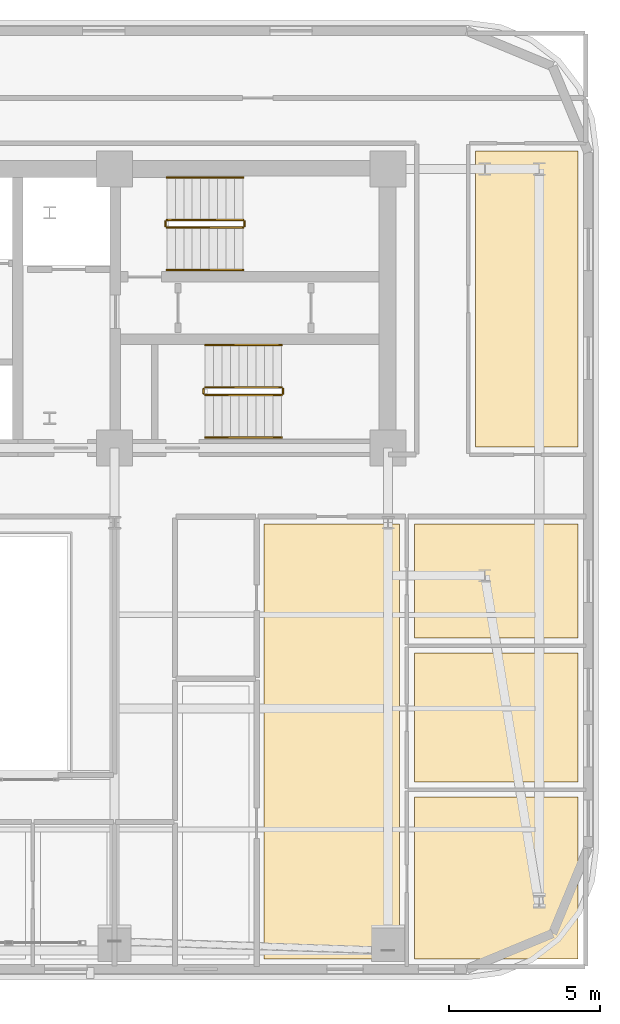
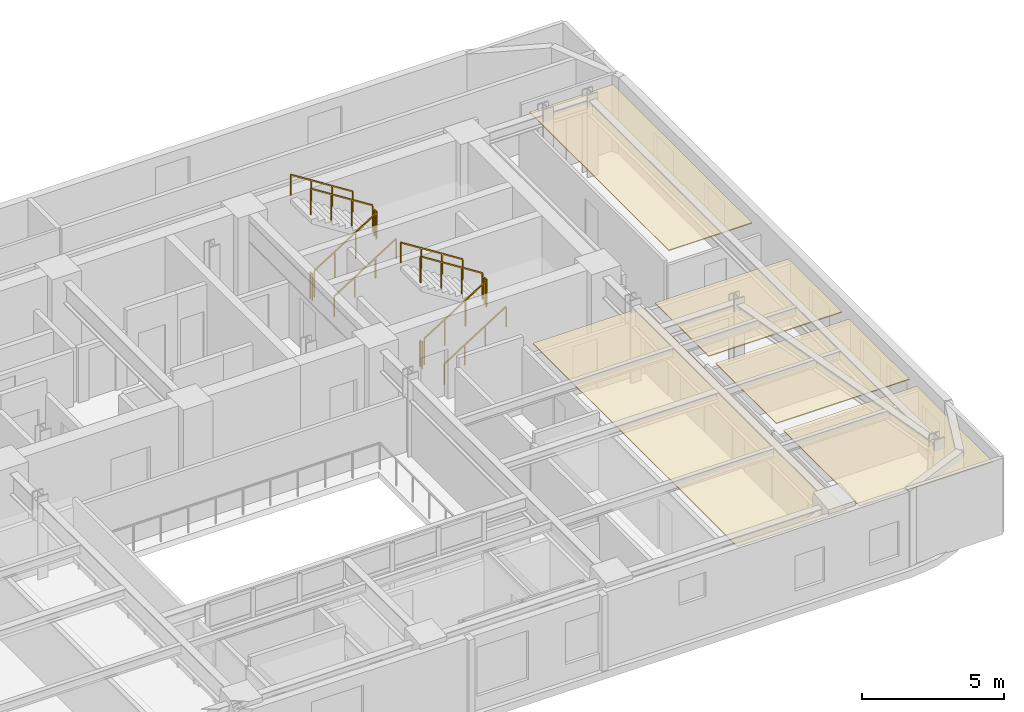
# One storey, part 13 of 13: 12 railings, 5 coverings.
"""IFC4 building model written with IfcOpenShell, lengths in metres."""

from ifc_helpers import new_model, si_unit, direction, frame, origin, origin_2d, place, context, subcontext, project, spatial, polyline, rectangle, outline, extrude, material, layer, layer_set, type_object, element, save


model = new_model("IFC4")

# Units and contexts
model_context = context("Model", 3, precision=1e-05, world=origin(), true_north=direction((0.0, 1.0)))
body_context = subcontext(model_context, "Body", "Model", "MODEL_VIEW")
ifc_project = project(units=[si_unit("LENGTHUNIT", "METRE"), si_unit("AREAUNIT", "SQUARE_METRE"), si_unit("VOLUMEUNIT", "CUBIC_METRE"), si_unit("PLANEANGLEUNIT", "RADIAN"), si_unit("MASSUNIT", "GRAM", prefix="KILO")], contexts=[model_context])

# Site, building, storey
site_placement = place(None, origin())
site = spatial("IfcSite", under=ifc_project, at=site_placement, CompositionType="ELEMENT")
building_placement = place(site_placement, origin())
building = spatial("IfcBuilding", under=site, at=building_placement, Name="Zarnavel Station Tower", CompositionType="ELEMENT")
storey_placement = place(building_placement, frame((0.0, 0.0, 162.550048828125)))
storey = spatial("IfcBuildingStorey", under=building, at=storey_placement, Name="L44", CompositionType="ELEMENT", Elevation=162.550048828125)

# Coverings
ifc_material_1 = material(Name="Perforated Gypsum and Mineral-Wool Acoustic Ceiling", Category="concrete")
ifc_layer = layer(ifc_material_1, 0.0400390625)
ifc_layer_set = layer_set([ifc_layer], Name="COV_CEIL_ACOUSTIC")
covering_type = type_object("IfcCoveringType", Name="COV_CEIL_ACOUSTIC", PredefinedType="CEILING", material=ifc_layer_set)
covering_1_placement = place(storey_placement, frame((0.0, 0.0, 2.969970703125)))
element("IfcCovering", 1, at=covering_1_placement, inside=storey, type_object=covering_type, Name="L44 FNE Acoustic Ceiling", PredefinedType="CEILING", context=body_context, shape_type="SweptSolid", body=[
    extrude(outline(polyline([(48.300048828125, 27.85009765625), (51.68994140625, 27.85009765625), (51.68994140625, 37.64990234375), (48.300048828125, 37.64990234375), (48.300048828125, 27.85009765625)])), origin(), (0.0, 0.0, 1.0), 0.0400390625),
])
covering_2_placement = place(storey_placement, frame((0.0, 0.0, 2.969970703125)))
element("IfcCovering", 2, at=covering_2_placement, inside=storey, type_object=covering_type, Name="L44 UE1LV Acoustic Ceiling", PredefinedType="CEILING", context=body_context, shape_type="SweptSolid", body=[
    extrude(outline(polyline([(41.300048828125, 10.909912109375), (45.77001953125, 10.909912109375), (45.77001953125, 25.300048828125), (41.300048828125, 25.300048828125), (41.300048828125, 10.909912109375)])), origin(), (0.0, 0.0, 1.0), 0.0400390625),
])
covering_3_placement = place(storey_placement, frame((0.0, 0.0, 2.969970703125)))
element("IfcCovering", 3, at=covering_3_placement, inside=storey, type_object=covering_type, Name="L44 UE1B1 Acoustic Ceiling", PredefinedType="CEILING", context=body_context, shape_type="SweptSolid", body=[
    extrude(outline(polyline([(46.27001953125, 10.909912109375), (51.68994140625, 10.909912109375), (51.68994140625, 16.26708984375), (46.27001953125, 16.26708984375), (46.27001953125, 10.909912109375)])), origin(), (0.0, 0.0, 1.0), 0.0400390625),
])
covering_4_placement = place(storey_placement, frame((0.0, 0.0, 2.969970703125)))
element("IfcCovering", 4, at=covering_4_placement, inside=storey, type_object=covering_type, Name="L44 UE1B2 Acoustic Ceiling", PredefinedType="CEILING", context=body_context, shape_type="SweptSolid", body=[
    extrude(outline(polyline([(46.27001953125, 16.76708984375), (51.68994140625, 16.76708984375), (51.68994140625, 21.031982421875), (46.27001953125, 21.031982421875), (46.27001953125, 16.76708984375)])), origin(), (0.0, 0.0, 1.0), 0.0400390625),
])
covering_5_placement = place(storey_placement, frame((0.0, 0.0, 2.969970703125)))
element("IfcCovering", 5, at=covering_5_placement, inside=storey, type_object=covering_type, Name="L44 UE1B3 Acoustic Ceiling", PredefinedType="CEILING", context=body_context, shape_type="SweptSolid", body=[
    extrude(outline(polyline([(46.27001953125, 21.531982421875), (51.68994140625, 21.531982421875), (51.68994140625, 25.300048828125), (46.27001953125, 25.300048828125), (46.27001953125, 21.531982421875)])), origin(), (0.0, 0.0, 1.0), 0.0400390625),
])

# Railings
ifc_material_2 = material(Name="Painted Steel S355J2 Balustrade", Category="steel")
railing_type_1 = type_object("IfcRailingType", Name="GR_INT_1150", PredefinedType="GUARDRAIL", material=ifc_material_2)
railing_1_placement = place(storey_placement, frame((38.080078125, 35.110107421875, 0.177490234375)))
element("IfcRailing", 6, at=railing_1_placement, inside=storey, type_object=railing_type_1, Name="L44 ST2 stair guard 1", PredefinedType="GUARDRAIL", context=body_context, shape_type="SweptSolid", body=[
    extrude(rectangle(XDim=0.048095703125, YDim=0.048095703125, at=origin_2d()), frame((0.001708984375, 0.0, 1.126953125), z_axis=(0.84460694969, 0.0, 0.535386869969), x_axis=(0.0, 1.0, 0.0)), (0.0, 0.0, 1.0), 2.979736328125),
    extrude(rectangle(XDim=0.0419921875, YDim=0.0419921875, at=origin_2d()), origin(), (0.0, 0.0, 1.0), 1.101806640625),
    extrude(rectangle(XDim=0.0419921875, YDim=0.0419921875, at=origin_2d()), frame((0.840087890625, 0.0, 0.532470703125)), (0.0, 0.0, 1.0), 1.101806640625),
    extrude(rectangle(XDim=0.0419921875, YDim=0.0419921875, at=origin_2d()), frame((1.679931640625, 0.0, 1.06494140625)), (0.0, 0.0, 1.0), 1.101806640625),
    extrude(rectangle(XDim=0.0419921875, YDim=0.0419921875, at=origin_2d()), frame((2.52001953125, 0.0, 1.597412109375)), (0.0, 0.0, 1.0), 1.101806640625),
])
railing_2_placement = place(storey_placement, frame((40.64990234375, 35.159912109375, 1.77490234375)))
element("IfcRailing", 7, at=railing_2_placement, inside=storey, type_object=railing_type_1, Name="L44 ST2 stair guard 2", PredefinedType="GUARDRAIL", context=body_context, shape_type="SweptSolid", body=[
    extrude(rectangle(XDim=0.048095703125, YDim=0.048095703125, at=origin_2d()), frame((0.0, 0.001953125, 1.1259765625), z_axis=(0.0, 1.0, 0.0), x_axis=(-1.0, 0.0, 0.0)), (0.0, 0.0, 1.0), 0.15625),
    extrude(rectangle(XDim=0.0419921875, YDim=0.0419921875, at=origin_2d()), origin(), (0.0, 0.0, 1.0), 1.101806640625),
    extrude(rectangle(XDim=0.0419921875, YDim=0.0419921875, at=origin_2d()), frame((0.0, 0.16015625, 0.0)), (0.0, 0.0, 1.0), 1.101806640625),
])
railing_3_placement = place(storey_placement, frame((40.60009765625, 35.3701171875, 1.952392578125)))
element("IfcRailing", 8, at=railing_3_placement, inside=storey, type_object=railing_type_1, Name="L44 ST2 stair guard 3", PredefinedType="GUARDRAIL", context=body_context, shape_type="SweptSolid", body=[
    extrude(rectangle(XDim=0.048095703125, YDim=0.048095703125, at=origin_2d()), frame((-0.001708984375, 0.0, 1.126953125), z_axis=(-0.84456994832, 0.0, 0.535445237532), x_axis=(0.0, -1.0, 0.0)), (0.0, 0.0, 1.0), 2.979736328125),
    extrude(rectangle(XDim=0.0419921875, YDim=0.0419921875, at=origin_2d()), origin(), (0.0, 0.0, 1.0), 1.101806640625),
    extrude(rectangle(XDim=0.0419921875, YDim=0.0419921875, at=origin_2d()), frame((-0.840087890625, 0.0, 0.532470703125)), (0.0, 0.0, 1.0), 1.101806640625),
    extrude(rectangle(XDim=0.0419921875, YDim=0.0419921875, at=origin_2d()), frame((-1.679931640625, 0.0, 1.065185546875)), (0.0, 0.0, 1.0), 1.101806640625),
    extrude(rectangle(XDim=0.0419921875, YDim=0.0419921875, at=origin_2d()), frame((-2.52001953125, 0.0, 1.59765625)), (0.0, 0.0, 1.0), 1.101806640625),
])
railing_4_placement = place(storey_placement, frame((38.030029296875, 35.159912109375, 0.0)))
element("IfcRailing", 9, at=railing_4_placement, inside=storey, type_object=railing_type_1, Name="L44 ST2 stair guard 4", PredefinedType="GUARDRAIL", context=body_context, shape_type="SweptSolid", body=[
    extrude(rectangle(XDim=0.048095703125, YDim=0.048095703125, at=origin_2d()), frame((0.0, 0.001953125, 1.1259765625), z_axis=(0.0, 1.0, 0.0), x_axis=(-1.0, 0.0, 0.0)), (0.0, 0.0, 1.0), 0.15625),
    extrude(rectangle(XDim=0.0419921875, YDim=0.0419921875, at=origin_2d()), origin(), (0.0, 0.0, 1.0), 1.101806640625),
    extrude(rectangle(XDim=0.0419921875, YDim=0.0419921875, at=origin_2d()), frame((0.0, 0.16015625, 0.0)), (0.0, 0.0, 1.0), 1.101806640625),
])
railing_5_placement = place(storey_placement, frame((39.35009765625, 29.570068359375, 0.177490234375)))
element("IfcRailing", 10, at=railing_5_placement, inside=storey, type_object=railing_type_1, Name="L44 ST3 stair guard 1", PredefinedType="GUARDRAIL", context=body_context, shape_type="SweptSolid", body=[
    extrude(rectangle(XDim=0.048095703125, YDim=0.048095703125, at=origin_2d()), frame((0.001708984375, 0.0, 1.126953125), z_axis=(0.84460694969, 0.0, 0.535386869969), x_axis=(0.0, 1.0, 0.0)), (0.0, 0.0, 1.0), 2.979736328125),
    extrude(rectangle(XDim=0.0419921875, YDim=0.0419921875, at=origin_2d()), origin(), (0.0, 0.0, 1.0), 1.101806640625),
    extrude(rectangle(XDim=0.0419921875, YDim=0.0419921875, at=origin_2d()), frame((0.840087890625, 0.0, 0.532470703125)), (0.0, 0.0, 1.0), 1.101806640625),
    extrude(rectangle(XDim=0.0419921875, YDim=0.0419921875, at=origin_2d()), frame((1.679931640625, 0.0, 1.06494140625)), (0.0, 0.0, 1.0), 1.101806640625),
    extrude(rectangle(XDim=0.0419921875, YDim=0.0419921875, at=origin_2d()), frame((2.52001953125, 0.0, 1.597412109375)), (0.0, 0.0, 1.0), 1.101806640625),
])
railing_6_placement = place(storey_placement, frame((41.919921875, 29.6201171875, 1.77490234375)))
element("IfcRailing", 11, at=railing_6_placement, inside=storey, type_object=railing_type_1, Name="L44 ST3 stair guard 2", PredefinedType="GUARDRAIL", context=body_context, shape_type="SweptSolid", body=[
    extrude(rectangle(XDim=0.048095703125, YDim=0.048095703125, at=origin_2d()), frame((0.0, 0.001953125, 1.1259765625), z_axis=(0.0, 1.0, 0.0), x_axis=(-1.0, 0.0, 0.0)), (0.0, 0.0, 1.0), 0.156005859375),
    extrude(rectangle(XDim=0.0419921875, YDim=0.0419921875, at=origin_2d()), origin(), (0.0, 0.0, 1.0), 1.101806640625),
    extrude(rectangle(XDim=0.0419921875, YDim=0.0419921875, at=origin_2d()), frame((0.0, 0.159912109375, 0.0)), (0.0, 0.0, 1.0), 1.101806640625),
])
railing_7_placement = place(storey_placement, frame((41.8701171875, 29.830078125, 1.952392578125)))
element("IfcRailing", 12, at=railing_7_placement, inside=storey, type_object=railing_type_1, Name="L44 ST3 stair guard 3", PredefinedType="GUARDRAIL", context=body_context, shape_type="SweptSolid", body=[
    extrude(rectangle(XDim=0.048095703125, YDim=0.048095703125, at=origin_2d()), frame((-0.001708984375, 0.0, 1.126953125), z_axis=(-0.84456994832, 0.0, 0.535445237532), x_axis=(0.0, -1.0, 0.0)), (0.0, 0.0, 1.0), 2.979736328125),
    extrude(rectangle(XDim=0.0419921875, YDim=0.0419921875, at=origin_2d()), origin(), (0.0, 0.0, 1.0), 1.101806640625),
    extrude(rectangle(XDim=0.0419921875, YDim=0.0419921875, at=origin_2d()), frame((-0.840087890625, 0.0, 0.532470703125)), (0.0, 0.0, 1.0), 1.101806640625),
    extrude(rectangle(XDim=0.0419921875, YDim=0.0419921875, at=origin_2d()), frame((-1.679931640625, 0.0, 1.065185546875)), (0.0, 0.0, 1.0), 1.101806640625),
    extrude(rectangle(XDim=0.0419921875, YDim=0.0419921875, at=origin_2d()), frame((-2.52001953125, 0.0, 1.59765625)), (0.0, 0.0, 1.0), 1.101806640625),
])
railing_8_placement = place(storey_placement, frame((39.300048828125, 29.6201171875, 0.0)))
element("IfcRailing", 13, at=railing_8_placement, inside=storey, type_object=railing_type_1, Name="L44 ST3 stair guard 4", PredefinedType="GUARDRAIL", context=body_context, shape_type="SweptSolid", body=[
    extrude(rectangle(XDim=0.048095703125, YDim=0.048095703125, at=origin_2d()), frame((0.0, 0.001953125, 1.1259765625), z_axis=(0.0, 1.0, 0.0), x_axis=(-1.0, 0.0, 0.0)), (0.0, 0.0, 1.0), 0.156005859375),
    extrude(rectangle(XDim=0.0419921875, YDim=0.0419921875, at=origin_2d()), origin(), (0.0, 0.0, 1.0), 1.101806640625),
    extrude(rectangle(XDim=0.0419921875, YDim=0.0419921875, at=origin_2d()), frame((0.0, 0.159912109375, 0.0)), (0.0, 0.0, 1.0), 1.101806640625),
])
ifc_material_3 = material(Name="Brushed Stainless Steel S355J2 Handrail", Category="steel")
railing_type_2 = type_object("IfcRailingType", Name="HR_STAIR_900", PredefinedType="HANDRAIL", material=ifc_material_3)
railing_9_placement = place(storey_placement, frame((38.080078125, 33.7099609375, 0.177490234375)))
element("IfcRailing", 14, at=railing_9_placement, inside=storey, type_object=railing_type_2, Name="L44 ST2 stair handrail 1", PredefinedType="HANDRAIL", context=body_context, shape_type="SweptSolid", body=[
    extrude(rectangle(XDim=0.048095703125, YDim=0.048095703125, at=origin_2d()), frame((0.001708984375, 0.0, 0.876953125), z_axis=(0.84460694969, 0.0, 0.535386869969), x_axis=(0.0, 1.0, 0.0)), (0.0, 0.0, 1.0), 2.979736328125),
    extrude(rectangle(XDim=0.0419921875, YDim=0.0419921875, at=origin_2d()), origin(), (0.0, 0.0, 1.0), 0.851806640625),
    extrude(rectangle(XDim=0.0419921875, YDim=0.0419921875, at=origin_2d()), frame((0.840087890625, 0.0, 0.532470703125)), (0.0, 0.0, 1.0), 0.851806640625),
    extrude(rectangle(XDim=0.0419921875, YDim=0.0419921875, at=origin_2d()), frame((1.679931640625, 0.0, 1.06494140625)), (0.0, 0.0, 1.0), 0.851806640625),
    extrude(rectangle(XDim=0.0419921875, YDim=0.0419921875, at=origin_2d()), frame((2.52001953125, 0.0, 1.597412109375)), (0.0, 0.0, 1.0), 0.851806640625),
])
railing_10_placement = place(storey_placement, frame((40.60009765625, 36.77001953125, 1.952392578125)))
element("IfcRailing", 15, at=railing_10_placement, inside=storey, type_object=railing_type_2, Name="L44 ST2 stair handrail 2", PredefinedType="HANDRAIL", context=body_context, shape_type="SweptSolid", body=[
    extrude(rectangle(XDim=0.048095703125, YDim=0.048095703125, at=origin_2d()), frame((-0.001708984375, 0.0, 0.876953125), z_axis=(-0.84456994832, 0.0, 0.535445237532), x_axis=(0.0, -1.0, 0.0)), (0.0, 0.0, 1.0), 2.979736328125),
    extrude(rectangle(XDim=0.0419921875, YDim=0.0419921875, at=origin_2d()), origin(), (0.0, 0.0, 1.0), 0.851806640625),
    extrude(rectangle(XDim=0.0419921875, YDim=0.0419921875, at=origin_2d()), frame((-0.840087890625, 0.0, 0.532470703125)), (0.0, 0.0, 1.0), 0.851806640625),
    extrude(rectangle(XDim=0.0419921875, YDim=0.0419921875, at=origin_2d()), frame((-1.679931640625, 0.0, 1.065185546875)), (0.0, 0.0, 1.0), 0.851806640625),
    extrude(rectangle(XDim=0.0419921875, YDim=0.0419921875, at=origin_2d()), frame((-2.52001953125, 0.0, 1.59765625)), (0.0, 0.0, 1.0), 0.851806640625),
])
railing_11_placement = place(storey_placement, frame((39.35009765625, 28.169921875, 0.177490234375)))
element("IfcRailing", 16, at=railing_11_placement, inside=storey, type_object=railing_type_2, Name="L44 ST3 stair handrail 1", PredefinedType="HANDRAIL", context=body_context, shape_type="SweptSolid", body=[
    extrude(rectangle(XDim=0.048095703125, YDim=0.048095703125, at=origin_2d()), frame((0.001708984375, 0.0, 0.876953125), z_axis=(0.84460694969, 0.0, 0.535386869969), x_axis=(0.0, 1.0, 0.0)), (0.0, 0.0, 1.0), 2.979736328125),
    extrude(rectangle(XDim=0.0419921875, YDim=0.0419921875, at=origin_2d()), origin(), (0.0, 0.0, 1.0), 0.851806640625),
    extrude(rectangle(XDim=0.0419921875, YDim=0.0419921875, at=origin_2d()), frame((0.840087890625, 0.0, 0.532470703125)), (0.0, 0.0, 1.0), 0.851806640625),
    extrude(rectangle(XDim=0.0419921875, YDim=0.0419921875, at=origin_2d()), frame((1.679931640625, 0.0, 1.06494140625)), (0.0, 0.0, 1.0), 0.851806640625),
    extrude(rectangle(XDim=0.0419921875, YDim=0.0419921875, at=origin_2d()), frame((2.52001953125, 0.0, 1.597412109375)), (0.0, 0.0, 1.0), 0.851806640625),
])
railing_12_placement = place(storey_placement, frame((41.8701171875, 31.22998046875, 1.952392578125)))
element("IfcRailing", 17, at=railing_12_placement, inside=storey, type_object=railing_type_2, Name="L44 ST3 stair handrail 2", PredefinedType="HANDRAIL", context=body_context, shape_type="SweptSolid", body=[
    extrude(rectangle(XDim=0.048095703125, YDim=0.048095703125, at=origin_2d()), frame((-0.001708984375, 0.0, 0.876953125), z_axis=(-0.84456994832, 0.0, 0.535445237532), x_axis=(0.0, -1.0, 0.0)), (0.0, 0.0, 1.0), 2.979736328125),
    extrude(rectangle(XDim=0.0419921875, YDim=0.0419921875, at=origin_2d()), origin(), (0.0, 0.0, 1.0), 0.851806640625),
    extrude(rectangle(XDim=0.0419921875, YDim=0.0419921875, at=origin_2d()), frame((-0.840087890625, 0.0, 0.532470703125)), (0.0, 0.0, 1.0), 0.851806640625),
    extrude(rectangle(XDim=0.0419921875, YDim=0.0419921875, at=origin_2d()), frame((-1.679931640625, 0.0, 1.065185546875)), (0.0, 0.0, 1.0), 0.851806640625),
    extrude(rectangle(XDim=0.0419921875, YDim=0.0419921875, at=origin_2d()), frame((-2.52001953125, 0.0, 1.59765625)), (0.0, 0.0, 1.0), 0.851806640625),
])

save(model, "model.ifc")
